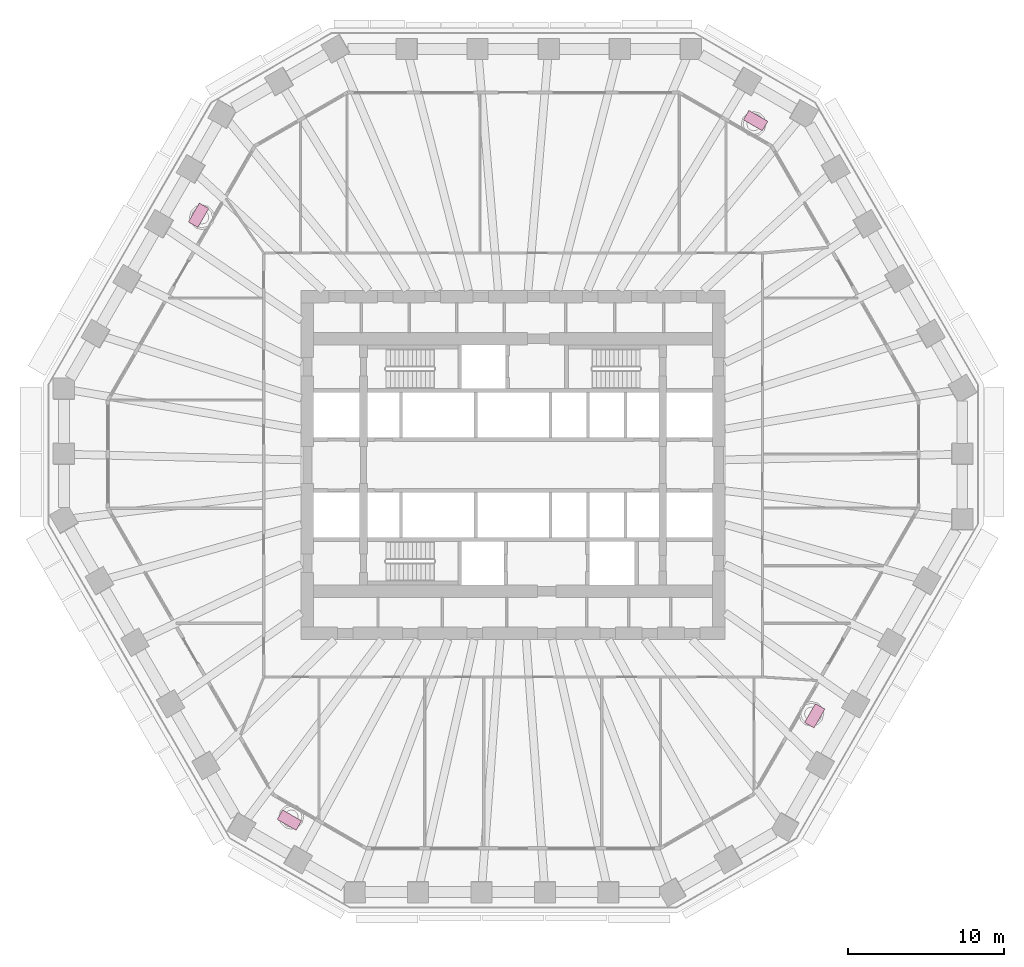
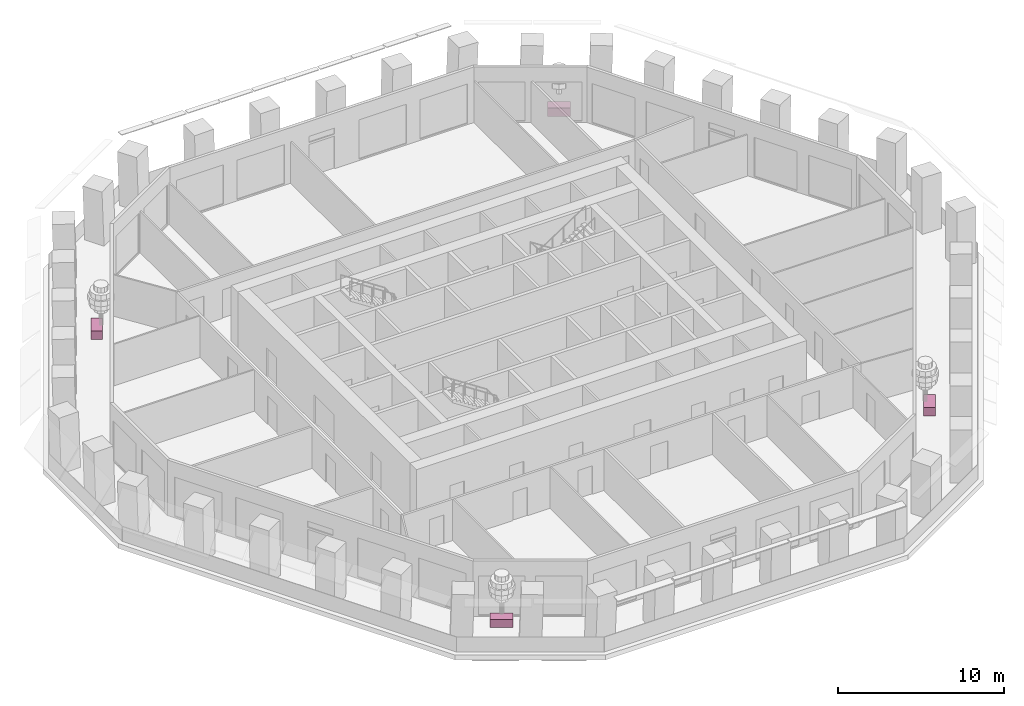
# One storey, part 12 of 13: 4 furniture elements.
"""IFC4 building model written with IfcOpenShell, lengths in metres."""

import ifcopenshell
import ifcopenshell.guid

model = None  # the IFC model being written
_history = None  # IfcOwnerHistory: only IFC2X3 demands one
_inside = {}  # id of a spatial element -> (the spatial element, [elements in it])
_under = {}  # id of a project, library or spatial element -> (it, [spatial elements below it])
_declared = {}  # id of a project -> (the project, [libraries it declares])
_typed = {}  # id of a type object -> (the type object, [elements of that type])
_made_of = {}  # id of a material, layer set ... -> (it, [elements and type objects made of it])


def new_model(schema):
    """Start an empty IFC model of exactly this schema.

    Asked for "IFC4X3", IfcOpenShell would pick the latest addendum, in which some entities
    have other attributes; the version numbers below select the first issue.
    IFC2X3 requires an IfcOwnerHistory on every rooted entity: one is made here for all.
    """
    global model, _history
    if schema == "IFC4X3":
        model = ifcopenshell.file(schema_version=(4, 3, 0, 0))
    else:
        model = ifcopenshell.file(schema=schema)
    _inside.clear()
    _under.clear()
    _declared.clear()
    _typed.clear()
    _made_of.clear()
    _history = None
    if model.schema == "IFC2X3":
        org = make("IfcOrganization", Name="unknown")
        user = make(
            "IfcPersonAndOrganization",
            ThePerson=make("IfcPerson", FamilyName="unknown"),
            TheOrganization=org,
        )
        app = make(
            "IfcApplication",
            ApplicationDeveloper=org,
            Version="unknown",
            ApplicationFullName="unknown",
            ApplicationIdentifier="unknown",
        )
        _history = make(
            "IfcOwnerHistory",
            OwningUser=user,
            OwningApplication=app,
            ChangeAction="ADDED",
            CreationDate=0,
        )
    return model


def make(cls, **values):
    """One entity of the class cls with the attributes given. An attribute that is None is left unset."""
    return model.create_entity(
        cls, **{name: value for name, value in values.items() if value is not None}
    )


def rooted(cls, **values):
    """An entity with a GlobalId (a new one), such as an element, a storey or a relation."""
    return make(cls, GlobalId=ifcopenshell.guid.new(), OwnerHistory=_history, **values)


def si_unit(unit_type, name, prefix=None):
    """IfcSIUnit, for example si_unit("LENGTHUNIT", "METRE", prefix="MILLI")."""
    return make("IfcSIUnit", UnitType=unit_type, Prefix=prefix, Name=name)


def assignment(units):
    """IfcUnitAssignment: the units of a project."""
    return None if units is None else make("IfcUnitAssignment", Units=units)


def point(xyz):
    """IfcCartesianPoint."""
    return None if xyz is None else make("IfcCartesianPoint", Coordinates=xyz)


def direction(xyz):
    """IfcDirection."""
    return None if xyz is None else make("IfcDirection", DirectionRatios=xyz)


def frame(location, z_axis=None, x_axis=None):
    """IfcAxis2Placement3D, a coordinate frame: its origin and axes. An axis left out is left unset."""
    return make(
        "IfcAxis2Placement3D",
        Location=point(location),
        Axis=direction(z_axis),
        RefDirection=direction(x_axis),
    )


def frame_2d(location, x_axis=None):
    """IfcAxis2Placement2D, a coordinate frame in the plane: its origin and x axis."""
    return make(
        "IfcAxis2Placement2D", Location=point(location), RefDirection=direction(x_axis)
    )


def origin():
    """The frame at (0, 0, 0) with its axes left unset."""
    return frame((0.0, 0.0, 0.0))


def origin_2d():
    """The frame at (0, 0) in the plane with its x axis left unset."""
    return frame_2d((0.0, 0.0))


def place(relative_to, where):
    """IfcLocalPlacement: puts the frame where relative to a parent placement (None: the world)."""
    return make(
        "IfcLocalPlacement", PlacementRelTo=relative_to, RelativePlacement=where
    )


def context(
    kind, dimensions, precision=None, world=None, true_north=None, identifier=None
):
    """IfcGeometricRepresentationContext, for example the 3D "Model" context."""
    return make(
        "IfcGeometricRepresentationContext",
        ContextIdentifier=identifier,
        ContextType=kind,
        CoordinateSpaceDimension=dimensions,
        Precision=precision,
        WorldCoordinateSystem=world,
        TrueNorth=true_north,
    )


def subcontext(parent, identifier, kind, view, scale=None):
    """IfcGeometricRepresentationSubContext, for example "Body" below "Model"."""
    return make(
        "IfcGeometricRepresentationSubContext",
        ContextIdentifier=identifier,
        ContextType=kind,
        ParentContext=parent,
        TargetScale=scale,
        TargetView=view,
    )


def project(units=None, contexts=None):
    """IfcProject with its units and contexts."""
    return rooted(
        "IfcProject",
        Name="project",
        RepresentationContexts=contexts,
        UnitsInContext=assignment(units),
    )


def spatial(cls, under=None, at=None, **own):
    """A site, building, storey or space (cls), placed at a placement, below another one or the project."""
    s = rooted(cls, ObjectPlacement=at, **own)
    if under is not None:
        _under.setdefault(under.id(), (under, []))[1].append(s)
    return s


def profile(cls, at=None, kind="AREA", **sizes):
    """A parametric profile (cls). Its sizes go by their IFC names, for example OverallWidth=200.0."""
    return make(cls, ProfileType=kind, Position=at, **sizes)


def rectangle(**sizes):
    """IfcRectangleProfileDef."""
    return profile("IfcRectangleProfileDef", **sizes)


def extrude(swept, where, along, depth):
    """IfcExtrudedAreaSolid: the profile swept, set in the frame where, extruded along a direction by depth."""
    return make(
        "IfcExtrudedAreaSolid",
        SweptArea=swept,
        Position=where,
        ExtrudedDirection=direction(along),
        Depth=depth,
    )


def shape(context_of_items, identifier, shape_type, items):
    """IfcShapeRepresentation: the items that make up one representation, for example the "Body"."""
    return make(
        "IfcShapeRepresentation",
        ContextOfItems=context_of_items,
        RepresentationIdentifier=identifier,
        RepresentationType=shape_type,
        Items=items,
    )


def material(Name=None, Category=None):
    """IfcMaterial."""
    return make("IfcMaterial", Name=Name, Category=Category)


def made_of(thing, what):
    """Note that an element or type object is made of a material, layer set ...; save() writes the relation."""
    if what is not None:
        _made_of.setdefault(what.id(), (what, []))[1].append(thing)
    return thing


def type_object(cls, material=None, **own):
    """A type object (cls), such as IfcWallType, which elements share."""
    return made_of(rooted(cls, **own), material)


def element(
    cls,
    number,
    at=None,
    inside=None,
    cuts=None,
    type_object=None,
    material=None,
    context=None,
    identifier="Body",
    shape_type=None,
    held_by="IfcProductDefinitionShape",
    body=None,
    shapes=None,
    **own,
):
    """One element of the class cls, such as IfcWall. Its Tag is "e" and its number.

    at: its placement. inside: the storey or other place that contains it. cuts: it is an
    opening in that element (IfcRelVoidsElement). A single representation is given by context,
    identifier, shape_type and body (its items); several are given by shapes. held_by: the class
    of the entity that holds the representations. save() writes the other relations.
    """
    e = rooted(cls, Tag="e%d" % number, ObjectPlacement=at, **own)
    if body is not None:
        shapes = [shape(context, identifier, shape_type, body)]
    if shapes is not None:
        e.Representation = make(held_by, Representations=shapes)
    if inside is not None:
        _inside.setdefault(inside.id(), (inside, []))[1].append(e)
    if cuts is not None:
        rooted(
            "IfcRelVoidsElement", RelatingBuildingElement=cuts, RelatedOpeningElement=e
        )
    if type_object is not None:
        _typed.setdefault(type_object.id(), (type_object, []))[1].append(e)
    return made_of(e, material)


def aggregate(whole, parts):
    """IfcRelAggregates: a whole, such as a stair, and the parts it consists of."""
    return rooted("IfcRelAggregates", RelatingObject=whole, RelatedObjects=parts)


def save(model, path):
    """Write the relations noted so far, then the file.

    IfcRelAggregates (storeys below a building ...), IfcRelContainedInSpatialStructure (elements
    in a storey), IfcRelDefinesByType, IfcRelAssociatesMaterial and IfcRelDeclares: one each for
    every whole, place, type object, material and project.
    """
    for whole, parts in _under.values():
        aggregate(whole, parts)
    for where, things in _inside.values():
        rooted(
            "IfcRelContainedInSpatialStructure",
            RelatedElements=things,
            RelatingStructure=where,
        )
    for kind, things in _typed.values():
        rooted("IfcRelDefinesByType", RelatedObjects=things, RelatingType=kind)
    for what, things in _made_of.values():
        rooted("IfcRelAssociatesMaterial", RelatedObjects=things, RelatingMaterial=what)
    for by, libraries in _declared.values():
        rooted("IfcRelDeclares", RelatingContext=by, RelatedDefinitions=libraries)
    model.write(path)


model = new_model("IFC4")

# Units and contexts
model_context = context("Model", 3, precision=1e-05, world=origin(), true_north=direction((0.0, 1.0)))
body_context = subcontext(model_context, "Body", "Model", "MODEL_VIEW")
ifc_project = project(units=[si_unit("LENGTHUNIT", "METRE"), si_unit("AREAUNIT", "SQUARE_METRE"), si_unit("VOLUMEUNIT", "CUBIC_METRE"), si_unit("PLANEANGLEUNIT", "RADIAN"), si_unit("MASSUNIT", "GRAM", prefix="KILO")], contexts=[model_context])

# Site, building, storey
site_placement = place(None, origin())
site = spatial("IfcSite", under=ifc_project, at=site_placement, CompositionType="ELEMENT")
building_placement = place(site_placement, origin())
building = spatial("IfcBuilding", under=site, at=building_placement, Name="Frailejon Research Tower", CompositionType="ELEMENT")
storey_placement = place(building_placement, frame((0.0, 0.0, 102.800048828125)))
storey = spatial("IfcBuildingStorey", under=building, at=storey_placement, Name="L22", CompositionType="ELEMENT", Elevation=102.800048828125)

# Furniture
ifc_material = material(Name="Precast concrete C30/37 planter, terracotta", Category="masonry")
furniture_type = type_object("IfcFurnitureType", Name="Loggia planter 1400x700", AssemblyPlace="NOTDEFINED", PredefinedType="USERDEFINED", material=ifc_material)
for number, where, z_axis, x_axis, name in (
    (1, (15.5546875, 22.0947265625, 0.0), (0.0, 0.0, 1.0), (-0.866025403784, 0.5, 0.0), "Planter L22"),
    (2, (-20.184814453125, 16.021728515625, 0.0), (0.0, 0.0, 1.0), (-0.5, -0.866025403784, 0.0), "Planter L22"),
    (3, (-14.357177734375, -22.7861328125, 0.0), (0.0, 0.0, 1.0), (0.866025403784, -0.5, 0.0), "Planter L22"),
    (4, (19.346435546875, -16.0908203125, 0.0), (0.0, 0.0, 1.0), (0.5, 0.866025403784, 0.0), "Planter L22"),
):
    element("IfcFurniture", number, at=place(storey_placement, frame(where, z_axis=z_axis, x_axis=x_axis)), inside=storey, type_object=furniture_type, Name=name, ObjectType="PLANTER", PredefinedType="USERDEFINED", context=body_context, shape_type="SweptSolid", body=[
        extrude(rectangle(XDim=1.39990234375, YDim=0.699951171875, at=origin_2d()), origin(), (0.0, 0.0, 1.0), 0.60009765625),
    ])

save(model, "model.ifc")
